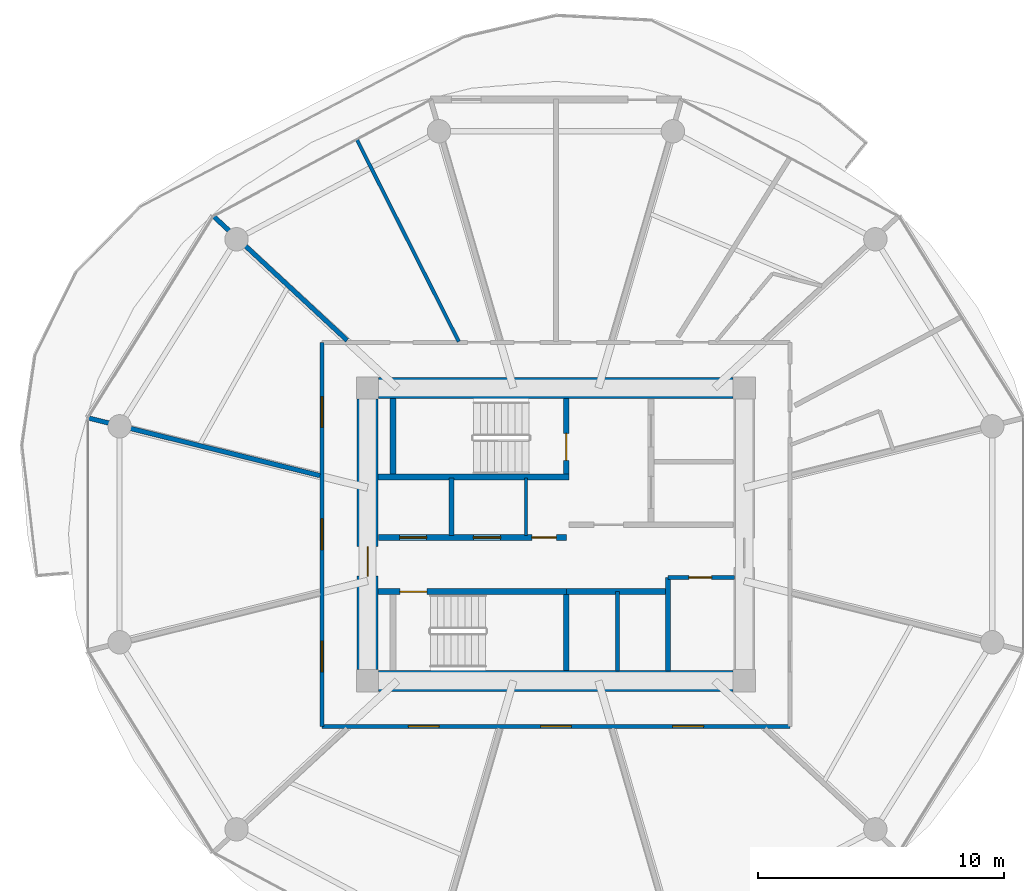
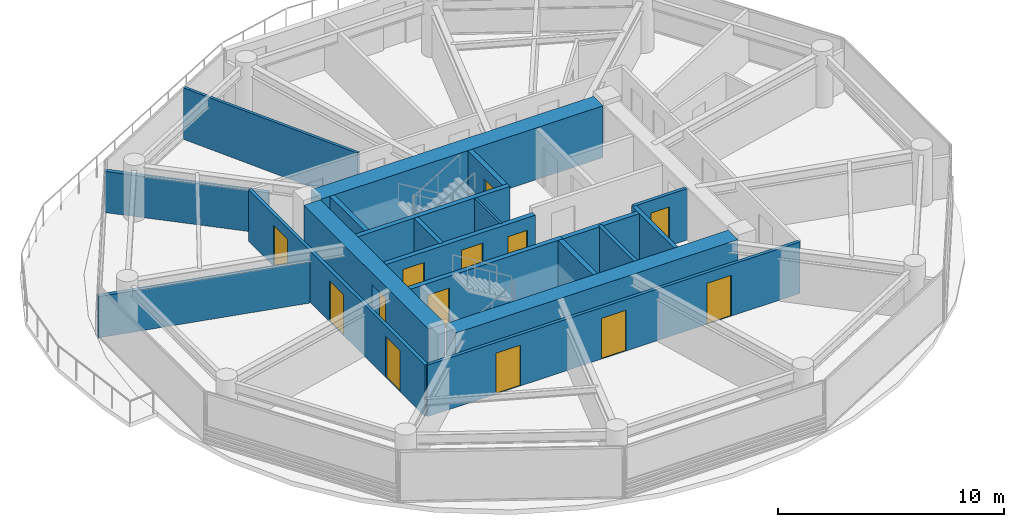
# One storey, part 15 of 26: 20 walls, 13 doors, 13 openings.
"""IFC4 building model written with IfcOpenShell, lengths in metres."""

from ifc_helpers import new_model, si_unit, direction, frame, frame_2d, origin, place, context, subcontext, project, spatial, rectangle, extrude, source, transform, mapped, material, layer, layer_set, type_object, type_shapes, element, fill, save


model = new_model("IFC4")

# Units and contexts
model_context = context("Model", 3, precision=1e-05, world=origin(), true_north=direction((0.0, 1.0)))
body_context = subcontext(model_context, "Body", "Model", "MODEL_VIEW")
ifc_project = project(units=[si_unit("LENGTHUNIT", "METRE"), si_unit("AREAUNIT", "SQUARE_METRE"), si_unit("VOLUMEUNIT", "CUBIC_METRE"), si_unit("PLANEANGLEUNIT", "RADIAN"), si_unit("MASSUNIT", "GRAM", prefix="KILO")], contexts=[model_context])

# Site, building, storey
site_placement = place(None, origin())
site = spatial("IfcSite", under=ifc_project, at=site_placement, CompositionType="ELEMENT")
building_placement = place(site_placement, origin())
building = spatial("IfcBuilding", under=site, at=building_placement, Name="Norrkilde Senior Care Towers", CompositionType="ELEMENT")
storey_placement = place(building_placement, frame((0.0, 0.0, 24.64990234375)))
storey = spatial("IfcBuildingStorey", under=building, at=storey_placement, Name="L06", CompositionType="ELEMENT", Elevation=24.64990234375)

# Walls
ifc_material_1 = material(Name="Concrete C60/75", Category="concrete")
ifc_layer_1 = layer(ifc_material_1, 0.85009765625)
ifc_layer_set_1 = layer_set([ifc_layer_1], Name="Concrete C60/75")
wall_type_1 = type_object("IfcWallType", Name="Core Shear Wall Z1 850", PredefinedType="SHEAR", material=ifc_layer_set_1)
shared_shape_1 = source(origin(), body_context, "Body", "SweptSolid", [
    extrude(rectangle(XDim=14.39990234375, YDim=0.85009765625, at=frame_2d((7.199951171875, 0.0))), origin(), (0.0, 0.0, 1.0), 2.7900390625),
])
for number, where, z_axis, x_axis, name in (
    (1, (-35.199951171875, 5.949951171875, 0.0), (0.0, 0.0, 1.0), (1.0, 0.0, 0.0), "L06 Core W North Shear Wall"),
    (2, (-20.800048828125, -5.949951171875, 0.0), (0.0, 0.0, 1.0), (-1.0, 0.0, 0.0), "L06 Core W South Shear Wall"),
):
    element("IfcWall", number, at=place(storey_placement, frame(where, z_axis=z_axis, x_axis=x_axis)), inside=storey, type_object=wall_type_1, Name=name, PredefinedType="SHEAR", context=body_context, shape_type="MappedRepresentation", body=[
        mapped(shared_shape_1, transform((0.0, 0.0, 0.0), x_axis=(1.0, 0.0, 0.0), y_axis=(0.0, 1.0, 0.0), z_axis=(0.0, 0.0, 1.0), scale=1.0)),
    ])

# Wall, opening, door
shared_shape_2 = source(origin(), body_context, "Body", "SweptSolid", [
    extrude(rectangle(XDim=11.0, YDim=0.85009765625, at=frame_2d((5.5, 0.0))), origin(), (0.0, 0.0, 1.0), 2.7900390625),
])
type_shapes(wall_type_1, [shared_shape_1, shared_shape_2])
wall_1_placement = place(storey_placement, frame((-35.64990234375, -5.5, 0.0), z_axis=(0.0, 0.0, 1.0), x_axis=(0.0, 1.0, 0.0)))
wall_1 = element("IfcWall", 3, at=wall_1_placement, inside=storey, type_object=wall_type_1, Name="L06 Core W West Shear Wall", PredefinedType="SHEAR", context=body_context, shape_type="MappedRepresentation", body=[
    mapped(shared_shape_2, transform((0.0, 0.0, 0.0), x_axis=(1.0, 0.0, 0.0), y_axis=(0.0, 1.0, 0.0), z_axis=(0.0, 0.0, 1.0), scale=1.0)),
])
opening_1_placement = place(wall_1_placement, frame((3.800048828125, 0.0, 0.0)))
opening_1 = element("IfcOpeningElement", 4, at=opening_1_placement, cuts=wall_1, Name="Opening D-04", PredefinedType="OPENING", context=body_context, shape_type="SweptSolid", body=[
    extrude(rectangle(XDim=1.199951171875, YDim=2.14990234375, at=frame_2d((0.60009765625, 1.074951171875))), frame((0.0, 0.43505859375, 0.0), z_axis=(0.0, -1.0, 0.0), x_axis=(1.0, 0.0, 0.0)), (0.0, 0.0, 1.0), 0.8701171875),
])
ifc_material_2 = material(Name="Galvanised Painted Steel", Category="steel")
door_type_1 = type_object("IfcDoorType", Name="Firefighting Lobby Fire Door 1200x2150", OperationType="NOTDEFINED", PredefinedType="DOOR", material=ifc_material_2)
shared_shape_3 = source(origin(), body_context, "Body", "SweptSolid", [
    extrude(rectangle(XDim=1.199951171875, YDim=2.14990234375, at=frame_2d((0.60009765625, 1.074951171875))), frame((0.0, 0.02490234375, 0.0), z_axis=(0.0, -1.0, 0.0), x_axis=(1.0, 0.0, 0.0)), (0.0, 0.0, 1.0), 0.050048828125),
])
type_shapes(door_type_1, [shared_shape_3])
door_1_placement = place(opening_1_placement, frame((1.199951171875, 0.0, 0.0), z_axis=(0.0, 0.0, 1.0), x_axis=(-1.0, 0.0, 0.0)))
door_1 = element("IfcDoor", 5, at=door_1_placement, inside=storey, type_object=door_type_1, Name="L06 Core W West Portal Door", OperationType="SINGLE_SWING_LEFT", OverallHeight=2.14990234375, OverallWidth=1.199951171875, PredefinedType="DOOR", context=body_context, shape_type="MappedRepresentation", body=[
    mapped(shared_shape_3, transform((0.0, 0.0, 0.0), x_axis=(1.0, 0.0, 0.0), y_axis=(0.0, 1.0, 0.0), z_axis=(0.0, 0.0, 1.0), scale=1.0)),
])
fill(opening_1, door_1)

# Wall
ifc_material_3 = material(Name="Concrete C45/55", Category="concrete")
ifc_layer_2 = layer(ifc_material_3, 0.239990234375)
ifc_layer_set_2 = layer_set([ifc_layer_2], Name="Concrete C45/55")
wall_type_2 = type_object("IfcWallType", Name="Shaft and Stair Enclosure Wall 240", PredefinedType="PARTITIONING", material=ifc_layer_set_2)
shared_shape_4 = source(origin(), body_context, "Body", "SweptSolid", [
    extrude(rectangle(XDim=7.76513671875, YDim=0.239990234375, at=frame_2d((3.882568359375, 0.0))), origin(), (0.0, 0.0, 1.0), 2.7900390625),
])
wall_2_placement = place(storey_placement, frame((-35.22509765625, 2.330078125, 0.0), z_axis=(0.0, 0.0, 1.0), x_axis=(1.0, 0.0, 0.0)))
element("IfcWall", 6, at=wall_2_placement, inside=storey, type_object=wall_type_2, Name="WL-INT-L06-W-ST1S", PredefinedType="PARTITIONING", context=body_context, shape_type="MappedRepresentation", body=[
    mapped(shared_shape_4, transform((0.0, 0.0, 0.0), x_axis=(1.0, 0.0, 0.0), y_axis=(0.0, 1.0, 0.0), z_axis=(0.0, 0.0, 1.0), scale=1.0)),
])

# Wall, opening, door
wall_3_placement = place(storey_placement, frame((-35.22509765625, -2.330078125, 0.0), z_axis=(0.0, 0.0, 1.0), x_axis=(1.0, 0.0, 0.0)))
wall_3 = element("IfcWall", 7, at=wall_3_placement, inside=storey, type_object=wall_type_2, Name="WL-INT-L06-W-ST2N", PredefinedType="PARTITIONING", context=body_context, shape_type="MappedRepresentation", body=[
    mapped(shared_shape_4, transform((0.0, 0.0, 0.0), x_axis=(1.0, 0.0, 0.0), y_axis=(0.0, 1.0, 0.0), z_axis=(0.0, 0.0, 1.0), scale=1.0)),
])
opening_2_placement = place(wall_3_placement, frame((0.885009765625, 0.0, 0.0)))
opening_2 = element("IfcOpeningElement", 8, at=opening_2_placement, cuts=wall_3, Name="Opening D-03", PredefinedType="OPENING", context=body_context, shape_type="SweptSolid", body=[
    extrude(rectangle(XDim=1.10009765625, YDim=2.14990234375, at=frame_2d((0.550048828125, 1.074951171875))), frame((0.0, 0.1298828125, 0.0), z_axis=(0.0, -1.0, 0.0), x_axis=(1.0, 0.0, 0.0)), (0.0, 0.0, 1.0), 0.260009765625),
])
door_type_2 = type_object("IfcDoorType", Name="Stairwell Protected Fire Door 1100x2150", OperationType="NOTDEFINED", PredefinedType="DOOR", material=ifc_material_2)
shared_shape_5 = source(origin(), body_context, "Body", "SweptSolid", [
    extrude(rectangle(XDim=1.10009765625, YDim=2.14990234375, at=frame_2d((0.550048828125, 1.074951171875))), frame((0.0, 0.02490234375, 0.0), z_axis=(0.0, -1.0, 0.0), x_axis=(1.0, 0.0, 0.0)), (0.0, 0.0, 1.0), 0.050048828125),
])
type_shapes(door_type_2, [shared_shape_5])
door_2_placement = place(opening_2_placement, frame((1.10009765625, 0.0, 0.0), z_axis=(0.0, 0.0, 1.0), x_axis=(-1.0, 0.0, 0.0)))
door_2 = element("IfcDoor", 9, at=door_2_placement, inside=storey, type_object=door_type_2, Name="L06 Stair W2 Fire Door", OperationType="SINGLE_SWING_RIGHT", OverallHeight=2.14990234375, OverallWidth=1.10009765625, PredefinedType="DOOR", context=body_context, shape_type="MappedRepresentation", body=[
    mapped(shared_shape_5, transform((0.0, 0.0, 0.0), x_axis=(1.0, 0.0, 0.0), y_axis=(0.0, 1.0, 0.0), z_axis=(0.0, 0.0, 1.0), scale=1.0)),
])
fill(opening_2, door_2)

# Wall
shared_shape_6 = source(origin(), body_context, "Body", "SweptSolid", [
    extrude(rectangle(XDim=3.074951171875, YDim=0.239990234375, at=frame_2d((1.53759765625, 0.0))), origin(), (0.0, 0.0, 1.0), 2.7900390625),
])
type_shapes(wall_type_2, [shared_shape_4, shared_shape_6])
wall_4_placement = place(storey_placement, frame((-34.6201171875, 2.449951171875, 0.0), z_axis=(0.0, 0.0, 1.0), x_axis=(0.0, 1.0, 0.0)))
element("IfcWall", 10, at=wall_4_placement, inside=storey, type_object=wall_type_2, Name="WL-INT-L06-W-ST1W", PredefinedType="PARTITIONING", context=body_context, shape_type="MappedRepresentation", body=[
    mapped(shared_shape_6, transform((0.0, 0.0, 0.0), x_axis=(1.0, 0.0, 0.0), y_axis=(0.0, 1.0, 0.0), z_axis=(0.0, 0.0, 1.0), scale=1.0)),
])

# Wall, opening, door
wall_5_placement = place(storey_placement, frame((-27.580078125, 2.449951171875, 0.0), z_axis=(0.0, 0.0, 1.0), x_axis=(0.0, 1.0, 0.0)))
wall_5 = element("IfcWall", 11, at=wall_5_placement, inside=storey, type_object=wall_type_2, Name="WL-INT-L06-W-ST1E", PredefinedType="PARTITIONING", context=body_context, shape_type="MappedRepresentation", body=[
    mapped(shared_shape_6, transform((0.0, 0.0, 0.0), x_axis=(1.0, 0.0, 0.0), y_axis=(0.0, 1.0, 0.0), z_axis=(0.0, 0.0, 1.0), scale=1.0)),
])
opening_3_placement = place(wall_5_placement, frame((0.550048828125, 0.0, 0.0)))
opening_3 = element("IfcOpeningElement", 12, at=opening_3_placement, cuts=wall_5, Name="Opening D-03", PredefinedType="OPENING", context=body_context, shape_type="SweptSolid", body=[
    extrude(rectangle(XDim=1.10009765625, YDim=2.14990234375, at=frame_2d((0.550048828125, 1.074951171875))), frame((0.0, 0.1298828125, 0.0), z_axis=(0.0, -1.0, 0.0), x_axis=(1.0, 0.0, 0.0)), (0.0, 0.0, 1.0), 0.260009765625),
])
door_3_placement = place(opening_3_placement, origin())
door_3 = element("IfcDoor", 13, at=door_3_placement, inside=storey, type_object=door_type_2, Name="L06 Stair W1 Fire Door", OperationType="SINGLE_SWING_LEFT", OverallHeight=2.14990234375, OverallWidth=1.10009765625, PredefinedType="DOOR", context=body_context, shape_type="MappedRepresentation", body=[
    mapped(shared_shape_5, transform((0.0, 0.0, 0.0), x_axis=(1.0, 0.0, 0.0), y_axis=(0.0, 1.0, 0.0), z_axis=(0.0, 0.0, 1.0), scale=1.0)),
])
fill(opening_3, door_3)

# Wall
wall_6_placement = place(storey_placement, frame((-27.580078125, -5.52490234375, 0.0), z_axis=(0.0, 0.0, 1.0), x_axis=(0.0, 1.0, 0.0)))
element("IfcWall", 14, at=wall_6_placement, inside=storey, type_object=wall_type_2, Name="WL-INT-L06-W-ST2E", PredefinedType="PARTITIONING", context=body_context, shape_type="MappedRepresentation", body=[
    mapped(shared_shape_6, transform((0.0, 0.0, 0.0), x_axis=(1.0, 0.0, 0.0), y_axis=(0.0, 1.0, 0.0), z_axis=(0.0, 0.0, 1.0), scale=1.0)),
])

# Wall, openings, doors
ifc_layer_3 = layer(ifc_material_3, 0.239990234375)
ifc_layer_set_3 = layer_set([ifc_layer_3], Name="Concrete C45/55")
wall_type_3 = type_object("IfcWallType", Name="Lift and Plant Rated Enclosure Partition 240", PredefinedType="PARTITIONING", material=ifc_layer_set_3)
shared_shape_7 = source(origin(), body_context, "Body", "SweptSolid", [
    extrude(rectangle(XDim=7.619873046875, YDim=0.239990234375, at=frame_2d((3.81005859375, 0.0))), origin(), (0.0, 0.0, 1.0), 2.775146484375),
])
wall_7_placement = place(storey_placement, frame((-35.199951171875, -0.1298828125, 0.0), z_axis=(0.0, 0.0, 1.0), x_axis=(1.0, 0.0, 0.0)))
wall_7 = element("IfcWall", 15, at=wall_7_placement, inside=storey, type_object=wall_type_3, Name="WL-INT-L06-W-PKAS", PredefinedType="PARTITIONING", context=body_context, shape_type="MappedRepresentation", body=[
    mapped(shared_shape_7, transform((0.0, 0.0, 0.0), x_axis=(1.0, 0.0, 0.0), y_axis=(0.0, 1.0, 0.0), z_axis=(0.0, 0.0, 1.0), scale=1.0)),
])
opening_4_placement = place(wall_7_placement, frame((6.219970703125, 0.0, 0.0)))
opening_4 = element("IfcOpeningElement", 16, at=opening_4_placement, cuts=wall_7, Name="Opening D-10", PredefinedType="OPENING", context=body_context, shape_type="SweptSolid", body=[
    extrude(rectangle(XDim=1.0, YDim=2.10009765625, at=frame_2d((0.5, 1.050048828125))), frame((0.0, 0.1298828125, 0.0), z_axis=(0.0, -1.0, 0.0), x_axis=(1.0, 0.0, 0.0)), (0.0, 0.0, 1.0), 0.260009765625),
])
opening_5_placement = place(wall_7_placement, frame((0.85009765625, 0.0, 0.0)))
opening_5 = element("IfcOpeningElement", 17, at=opening_5_placement, cuts=wall_7, Name="Opening LD-01", PredefinedType="OPENING", context=body_context, shape_type="SweptSolid", body=[
    extrude(rectangle(XDim=1.10009765625, YDim=2.199951171875, at=frame_2d((0.550048828125, 1.10009765625))), frame((0.0, 0.1298828125, 0.0), z_axis=(0.0, -1.0, 0.0), x_axis=(1.0, 0.0, 0.0)), (0.0, 0.0, 1.0), 0.260009765625),
])
opening_6_placement = place(wall_7_placement, frame((3.85009765625, 0.0, 0.0)))
opening_6 = element("IfcOpeningElement", 18, at=opening_6_placement, cuts=wall_7, Name="Opening LD-01", PredefinedType="OPENING", context=body_context, shape_type="SweptSolid", body=[
    extrude(rectangle(XDim=1.10009765625, YDim=2.199951171875, at=frame_2d((0.550048828125, 1.10009765625))), frame((0.0, 0.1298828125, 0.0), z_axis=(0.0, -1.0, 0.0), x_axis=(1.0, 0.0, 0.0)), (0.0, 0.0, 1.0), 0.260009765625),
])
door_type_3 = type_object("IfcDoorType", Name="Plant and Riser Rated Door 1000x2100", OperationType="NOTDEFINED", PredefinedType="DOOR", material=ifc_material_2)
shared_shape_8 = source(origin(), body_context, "Body", "SweptSolid", [
    extrude(rectangle(XDim=1.0, YDim=2.10009765625, at=frame_2d((0.5, 1.050048828125))), frame((0.0, 0.02490234375, 0.0), z_axis=(0.0, -1.0, 0.0), x_axis=(1.0, 0.0, 0.0)), (0.0, 0.0, 1.0), 0.050048828125),
])
type_shapes(door_type_3, [shared_shape_8])
door_4_placement = place(opening_4_placement, frame((1.0, 0.0, 0.0), z_axis=(0.0, 0.0, 1.0), x_axis=(-1.0, 0.0, 0.0)))
door_4 = element("IfcDoor", 19, at=door_4_placement, inside=storey, type_object=door_type_3, Name="L06 Electrical Riser W Door", OperationType="SINGLE_SWING_LEFT", OverallHeight=2.10009765625, OverallWidth=1.0, PredefinedType="DOOR", context=body_context, shape_type="MappedRepresentation", body=[
    mapped(shared_shape_8, transform((0.0, 0.0, 0.0), x_axis=(1.0, 0.0, 0.0), y_axis=(0.0, 1.0, 0.0), z_axis=(0.0, 0.0, 1.0), scale=1.0)),
])
fill(opening_4, door_4)
ifc_material_4 = material(Name="Stainless Steel", Category="steel")
door_type_4 = type_object("IfcDoorType", Name="Lift Landing Sliding Door 1100x2200", OperationType="NOTDEFINED", PredefinedType="DOOR", material=ifc_material_4)
shared_shape_9 = source(origin(), body_context, "Body", "SweptSolid", [
    extrude(rectangle(XDim=1.10009765625, YDim=2.199951171875, at=frame_2d((0.550048828125, 1.10009765625))), frame((0.0, 0.02490234375, 0.0), z_axis=(0.0, -1.0, 0.0), x_axis=(1.0, 0.0, 0.0)), (0.0, 0.0, 1.0), 0.050048828125),
])
type_shapes(door_type_4, [shared_shape_9])
door_5_placement = place(opening_5_placement, origin())
door_5 = element("IfcDoor", 20, at=door_5_placement, inside=storey, type_object=door_type_4, Name="L06 Passenger Lift W1 Landing Door", OperationType="SLIDING_TO_LEFT", OverallHeight=2.199951171875, OverallWidth=1.10009765625, PredefinedType="DOOR", context=body_context, shape_type="MappedRepresentation", body=[
    mapped(shared_shape_9, transform((0.0, 0.0, 0.0), x_axis=(1.0, 0.0, 0.0), y_axis=(0.0, 1.0, 0.0), z_axis=(0.0, 0.0, 1.0), scale=1.0)),
])
fill(opening_5, door_5)
door_6_placement = place(opening_6_placement, origin())
door_6 = element("IfcDoor", 21, at=door_6_placement, inside=storey, type_object=door_type_4, Name="L06 Passenger Lift W2 Landing Door", OperationType="SLIDING_TO_RIGHT", OverallHeight=2.199951171875, OverallWidth=1.10009765625, PredefinedType="DOOR", context=body_context, shape_type="MappedRepresentation", body=[
    mapped(shared_shape_9, transform((0.0, 0.0, 0.0), x_axis=(1.0, 0.0, 0.0), y_axis=(0.0, 1.0, 0.0), z_axis=(0.0, 0.0, 1.0), scale=1.0)),
])
fill(opening_6, door_6)

# Walls
ifc_material_5 = material(Name="Gypsum Acoustic Board")
ifc_layer_4 = layer(ifc_material_5, 0.114990234375)
ifc_layer_set_4 = layer_set([ifc_layer_4], Name="Gypsum Acoustic Board")
wall_type_4 = type_object("IfcWallType", Name="Internal Room Partition 115", PredefinedType="PARTITIONING", material=ifc_layer_set_4)
shared_shape_10 = source(origin(), body_context, "Body", "SweptSolid", [
    extrude(rectangle(XDim=2.330078125, YDim=0.114990234375, at=frame_2d((1.1650390625, 0.0))), origin(), (0.0, 0.0, 1.0), 2.775146484375),
])
type_shapes(wall_type_4, [shared_shape_10])
wall_8_placement = place(storey_placement, frame((-29.2099609375, -0.050048828125, 0.0), z_axis=(0.0, 0.0, 1.0), x_axis=(0.0, 1.0, 0.0)))
element("IfcWall", 22, at=wall_8_placement, inside=storey, type_object=wall_type_4, Name="WL-INT-L06-W-RISW", PredefinedType="PARTITIONING", context=body_context, shape_type="MappedRepresentation", body=[
    mapped(shared_shape_10, transform((0.0, 0.0, 0.0), x_axis=(1.0, 0.0, 0.0), y_axis=(0.0, 1.0, 0.0), z_axis=(0.0, 0.0, 1.0), scale=1.0)),
])
ifc_layer_5 = layer(ifc_material_3, 0.199951171875)
ifc_layer_set_5 = layer_set([ifc_layer_5], Name="Concrete C45/55")
wall_type_5 = type_object("IfcWallType", Name="Shaft Division and Plant Partition 200", PredefinedType="PARTITIONING", material=ifc_layer_set_5)
shared_shape_11 = source(origin(), body_context, "Body", "SweptSolid", [
    extrude(rectangle(XDim=2.330078125, YDim=0.199951171875, at=frame_2d((1.1650390625, 0.0))), origin(), (0.0, 0.0, 1.0), 2.775146484375),
])
wall_9_placement = place(storey_placement, frame((-32.25, -0.050048828125, 0.0), z_axis=(0.0, 0.0, 1.0), x_axis=(0.0, 1.0, 0.0)))
element("IfcWall", 23, at=wall_9_placement, inside=storey, type_object=wall_type_5, Name="WL-INT-L06-W-PL12", PredefinedType="PARTITIONING", context=body_context, shape_type="MappedRepresentation", body=[
    mapped(shared_shape_11, transform((0.0, 0.0, 0.0), x_axis=(1.0, 0.0, 0.0), y_axis=(0.0, 1.0, 0.0), z_axis=(0.0, 0.0, 1.0), scale=1.0)),
])
shared_shape_12 = source(origin(), body_context, "Body", "SweptSolid", [
    extrude(rectangle(XDim=3.800048828125, YDim=0.199951171875, at=frame_2d((1.89990234375, 0.0))), origin(), (0.0, 0.0, 1.0), 2.775146484375),
])
type_shapes(wall_type_5, [shared_shape_11, shared_shape_12])
wall_10_placement = place(storey_placement, frame((-23.449951171875, -5.550048828125, 0.0), z_axis=(0.0, 0.0, 1.0), x_axis=(0.0, 1.0, 0.0)))
element("IfcWall", 24, at=wall_10_placement, inside=storey, type_object=wall_type_5, Name="WL-INT-L06-W-PKBE", PredefinedType="PARTITIONING", context=body_context, shape_type="MappedRepresentation", body=[
    mapped(shared_shape_12, transform((0.0, 0.0, 0.0), x_axis=(1.0, 0.0, 0.0), y_axis=(0.0, 1.0, 0.0), z_axis=(0.0, 0.0, 1.0), scale=1.0)),
])
shared_shape_13 = source(origin(), body_context, "Body", "SweptSolid", [
    extrude(rectangle(XDim=4.130126953125, YDim=0.239990234375, at=frame_2d((2.06494140625, 0.0))), origin(), (0.0, 0.0, 1.0), 2.775146484375),
])
type_shapes(wall_type_3, [shared_shape_7, shared_shape_13])
wall_11_placement = place(storey_placement, frame((-27.580078125, -2.330078125, 0.0), z_axis=(0.0, 0.0, 1.0), x_axis=(1.0, 0.0, 0.0)))
element("IfcWall", 25, at=wall_11_placement, inside=storey, type_object=wall_type_3, Name="WL-INT-L06-W-PKBN", PredefinedType="PARTITIONING", context=body_context, shape_type="MappedRepresentation", body=[
    mapped(shared_shape_13, transform((0.0, 0.0, 0.0), x_axis=(1.0, 0.0, 0.0), y_axis=(0.0, 1.0, 0.0), z_axis=(0.0, 0.0, 1.0), scale=1.0)),
])
ifc_layer_6 = layer(ifc_material_3, 0.179931640625)
ifc_layer_set_6 = layer_set([ifc_layer_6], Name="Concrete C45/55")
wall_type_6 = type_object("IfcWallType", Name="Hoistway Division Rated Partition 180", PredefinedType="PARTITIONING", material=ifc_layer_set_6)
shared_shape_14 = source(origin(), body_context, "Body", "SweptSolid", [
    extrude(rectangle(XDim=3.219970703125, YDim=0.179931640625, at=frame_2d((1.60986328125, 0.0))), origin(), (0.0, 0.0, 1.0), 2.775146484375),
])
type_shapes(wall_type_6, [shared_shape_14])
wall_12_placement = place(storey_placement, frame((-25.5, -5.550048828125, 0.0), z_axis=(0.0, 0.0, 1.0), x_axis=(0.0, 1.0, 0.0)))
element("IfcWall", 26, at=wall_12_placement, inside=storey, type_object=wall_type_6, Name="WL-INT-L06-W-PL34", PredefinedType="PARTITIONING", context=body_context, shape_type="MappedRepresentation", body=[
    mapped(shared_shape_14, transform((0.0, 0.0, 0.0), x_axis=(1.0, 0.0, 0.0), y_axis=(0.0, 1.0, 0.0), z_axis=(0.0, 0.0, 1.0), scale=1.0)),
])

# Wall, opening, door
ifc_layer_7 = layer(ifc_material_5, 0.1650390625)
ifc_layer_set_7 = layer_set([ifc_layer_7], Name="Gypsum Acoustic Board")
wall_type_7 = type_object("IfcWallType", Name="Corridor Rated Partition 165", PredefinedType="PARTITIONING", material=ifc_layer_set_7)
shared_shape_15 = source(origin(), body_context, "Body", "SweptSolid", [
    extrude(rectangle(XDim=2.699951171875, YDim=0.1650390625, at=frame_2d((1.35009765625, 0.0))), origin(), (0.0, 0.0, 1.0), 2.775146484375),
])
wall_13_placement = place(storey_placement, frame((-23.449951171875, -1.75, 0.0), z_axis=(0.0, 0.0, 1.0), x_axis=(1.0, 0.0, 0.0)))
wall_13 = element("IfcWall", 27, at=wall_13_placement, inside=storey, type_object=wall_type_7, Name="WL-INT-L06-W-CSN", PredefinedType="PARTITIONING", context=body_context, shape_type="MappedRepresentation", body=[
    mapped(shared_shape_15, transform((0.0, 0.0, 0.0), x_axis=(1.0, 0.0, 0.0), y_axis=(0.0, 1.0, 0.0), z_axis=(0.0, 0.0, 1.0), scale=1.0)),
])
opening_7_placement = place(wall_13_placement, frame((0.85009765625, 0.0, 0.0)))
opening_7 = element("IfcOpeningElement", 28, at=opening_7_placement, cuts=wall_13, Name="Opening D-12", PredefinedType="OPENING", context=body_context, shape_type="SweptSolid", body=[
    extrude(rectangle(XDim=0.925048828125, YDim=2.10009765625, at=frame_2d((0.46240234375, 1.050048828125))), frame((0.0, 0.092529296875, 0.0), z_axis=(0.0, -1.0, 0.0), x_axis=(1.0, 0.0, 0.0)), (0.0, 0.0, 1.0), 0.18505859375),
])
door_type_5 = type_object("IfcDoorType", Name="Core Wet Room Rated Door 925x2100", OperationType="NOTDEFINED", PredefinedType="DOOR", material=ifc_material_2)
shared_shape_16 = source(origin(), body_context, "Body", "SweptSolid", [
    extrude(rectangle(XDim=0.925048828125, YDim=2.10009765625, at=frame_2d((0.46240234375, 1.050048828125))), frame((0.0, 0.02490234375, 0.0), z_axis=(0.0, -1.0, 0.0), x_axis=(1.0, 0.0, 0.0)), (0.0, 0.0, 1.0), 0.050048828125),
])
type_shapes(door_type_5, [shared_shape_16])
door_7_placement = place(opening_7_placement, origin())
door_7 = element("IfcDoor", 29, at=door_7_placement, inside=storey, type_object=door_type_5, Name="L06 Core Utility W Door", OperationType="SINGLE_SWING_LEFT", OverallHeight=2.10009765625, OverallWidth=0.925048828125, PredefinedType="DOOR", context=body_context, shape_type="MappedRepresentation", body=[
    mapped(shared_shape_16, transform((0.0, 0.0, 0.0), x_axis=(1.0, 0.0, 0.0), y_axis=(0.0, 1.0, 0.0), z_axis=(0.0, 0.0, 1.0), scale=1.0)),
])
fill(opening_7, door_7)

# Wall, openings, doors
shared_shape_17 = source(origin(), body_context, "Body", "SweptSolid", [
    extrude(rectangle(XDim=19.0, YDim=0.1650390625, at=frame_2d((9.5, 0.0))), origin(), (0.0, 0.0, 1.0), 2.775146484375),
])
wall_14_placement = place(storey_placement, frame((-18.5, -7.800048828125, 0.0), z_axis=(0.0, 0.0, 1.0), x_axis=(-1.0, 0.0, 0.0)))
wall_14 = element("IfcWall", 30, at=wall_14_placement, inside=storey, type_object=wall_type_7, Name="WL-INT-L06-W-CRW-S-0", PredefinedType="PARTITIONING", context=body_context, shape_type="MappedRepresentation", body=[
    mapped(shared_shape_17, transform((0.0, 0.0, 0.0), x_axis=(1.0, 0.0, 0.0), y_axis=(0.0, 1.0, 0.0), z_axis=(0.0, 0.0, 1.0), scale=1.0)),
])
opening_8_placement = place(wall_14_placement, frame((14.244384765625, 0.0, 0.0)))
opening_8 = element("IfcOpeningElement", 31, at=opening_8_placement, cuts=wall_14, Name="Opening D-05", PredefinedType="OPENING", context=body_context, shape_type="SweptSolid", body=[
    extrude(rectangle(XDim=1.25, YDim=2.199951171875, at=frame_2d((0.625, 1.10009765625))), frame((0.0, 0.092529296875, 0.0), z_axis=(0.0, -1.0, 0.0), x_axis=(1.0, 0.0, 0.0)), (0.0, 0.0, 1.0), 0.18505859375),
])
opening_9_placement = place(wall_14_placement, frame((8.875, 0.0, 0.0)))
opening_9 = element("IfcOpeningElement", 32, at=opening_9_placement, cuts=wall_14, Name="Opening D-05", PredefinedType="OPENING", context=body_context, shape_type="SweptSolid", body=[
    extrude(rectangle(XDim=1.25, YDim=2.199951171875, at=frame_2d((0.625, 1.10009765625))), frame((0.0, 0.092529296875, 0.0), z_axis=(0.0, -1.0, 0.0), x_axis=(1.0, 0.0, 0.0)), (0.0, 0.0, 1.0), 0.18505859375),
])
opening_10_placement = place(wall_14_placement, frame((3.505615234375, 0.0, 0.0)))
opening_10 = element("IfcOpeningElement", 33, at=opening_10_placement, cuts=wall_14, Name="Opening D-05", PredefinedType="OPENING", context=body_context, shape_type="SweptSolid", body=[
    extrude(rectangle(XDim=1.25, YDim=2.199951171875, at=frame_2d((0.625, 1.10009765625))), frame((0.0, 0.092529296875, 0.0), z_axis=(0.0, -1.0, 0.0), x_axis=(1.0, 0.0, 0.0)), (0.0, 0.0, 1.0), 0.18505859375),
])
ifc_material_6 = material(Name="Nordic Ash Timber", Category="wood")
door_type_6 = type_object("IfcDoorType", Name="Care Bedroom Bariatric Door 1250x2200", OperationType="NOTDEFINED", PredefinedType="DOOR", material=ifc_material_6)
shared_shape_18 = source(origin(), body_context, "Body", "SweptSolid", [
    extrude(rectangle(XDim=1.25, YDim=2.199951171875, at=frame_2d((0.625, 1.10009765625))), frame((0.0, 0.02490234375, 0.0), z_axis=(0.0, -1.0, 0.0), x_axis=(1.0, 0.0, 0.0)), (0.0, 0.0, 1.0), 0.050048828125),
])
type_shapes(door_type_6, [shared_shape_18])
door_8_placement = place(opening_8_placement, frame((1.25, 0.0, 0.0), z_axis=(0.0, 0.0, 1.0), x_axis=(-1.0, 0.0, 0.0)))
door_8 = element("IfcDoor", 34, at=door_8_placement, inside=storey, type_object=door_type_6, Name="L06 Household Communal Dining Salon Door", OperationType="SINGLE_SWING_RIGHT", OverallHeight=2.199951171875, OverallWidth=1.25, PredefinedType="DOOR", context=body_context, shape_type="MappedRepresentation", body=[
    mapped(shared_shape_18, transform((0.0, 0.0, 0.0), x_axis=(1.0, 0.0, 0.0), y_axis=(0.0, 1.0, 0.0), z_axis=(0.0, 0.0, 1.0), scale=1.0)),
])
fill(opening_8, door_8)
door_9_placement = place(opening_9_placement, frame((1.25, 0.0, 0.0), z_axis=(0.0, 0.0, 1.0), x_axis=(-1.0, 0.0, 0.0)))
door_9 = element("IfcDoor", 35, at=door_9_placement, inside=storey, type_object=door_type_6, Name="L06 Resident Family Conference Room Door", OperationType="SINGLE_SWING_LEFT", OverallHeight=2.199951171875, OverallWidth=1.25, PredefinedType="DOOR", context=body_context, shape_type="MappedRepresentation", body=[
    mapped(shared_shape_18, transform((0.0, 0.0, 0.0), x_axis=(1.0, 0.0, 0.0), y_axis=(0.0, 1.0, 0.0), z_axis=(0.0, 0.0, 1.0), scale=1.0)),
])
fill(opening_9, door_9)
door_10_placement = place(opening_10_placement, frame((1.25, 0.0, 0.0), z_axis=(0.0, 0.0, 1.0), x_axis=(-1.0, 0.0, 0.0)))
door_10 = element("IfcDoor", 36, at=door_10_placement, inside=storey, type_object=door_type_6, Name="L06 Geriatric Rehabilitation Clinic Door", OperationType="SINGLE_SWING_RIGHT", OverallHeight=2.199951171875, OverallWidth=1.25, PredefinedType="DOOR", context=body_context, shape_type="MappedRepresentation", body=[
    mapped(shared_shape_18, transform((0.0, 0.0, 0.0), x_axis=(1.0, 0.0, 0.0), y_axis=(0.0, 1.0, 0.0), z_axis=(0.0, 0.0, 1.0), scale=1.0)),
])
fill(opening_10, door_10)

shared_shape_19 = source(origin(), body_context, "Body", "SweptSolid", [
    extrude(rectangle(XDim=15.60009765625, YDim=0.1650390625, at=frame_2d((7.800048828125, 0.0))), origin(), (0.0, 0.0, 1.0), 2.775146484375),
])
type_shapes(wall_type_7, [shared_shape_15, shared_shape_17, shared_shape_19])
wall_15_placement = place(storey_placement, frame((-37.5, -7.800048828125, 0.0), z_axis=(0.0, 0.0, 1.0), x_axis=(0.0, 1.0, 0.0)))
wall_15 = element("IfcWall", 37, at=wall_15_placement, inside=storey, type_object=wall_type_7, Name="WL-INT-L06-W-CRW-W-0", PredefinedType="PARTITIONING", context=body_context, shape_type="MappedRepresentation", body=[
    mapped(shared_shape_19, transform((0.0, 0.0, 0.0), x_axis=(1.0, 0.0, 0.0), y_axis=(0.0, 1.0, 0.0), z_axis=(0.0, 0.0, 1.0), scale=1.0)),
])
opening_11_placement = place(wall_15_placement, frame((12.141357421875, 0.0, 0.0)))
opening_11 = element("IfcOpeningElement", 38, at=opening_11_placement, cuts=wall_15, Name="Opening D-05", PredefinedType="OPENING", context=body_context, shape_type="SweptSolid", body=[
    extrude(rectangle(XDim=1.25, YDim=2.199951171875, at=frame_2d((0.625, 1.10009765625))), frame((0.0, 0.092529296875, 0.0), z_axis=(0.0, -1.0, 0.0), x_axis=(1.0, 0.0, 0.0)), (0.0, 0.0, 1.0), 0.18505859375),
])
opening_12_placement = place(wall_15_placement, frame((7.175048828125, 0.0, 0.0)))
opening_12 = element("IfcOpeningElement", 39, at=opening_12_placement, cuts=wall_15, Name="Opening D-05", PredefinedType="OPENING", context=body_context, shape_type="SweptSolid", body=[
    extrude(rectangle(XDim=1.25, YDim=2.199951171875, at=frame_2d((0.625, 1.10009765625))), frame((0.0, 0.092529296875, 0.0), z_axis=(0.0, -1.0, 0.0), x_axis=(1.0, 0.0, 0.0)), (0.0, 0.0, 1.0), 0.18505859375),
])
opening_13_placement = place(wall_15_placement, frame((2.20849609375, 0.0, 0.0)))
opening_13 = element("IfcOpeningElement", 40, at=opening_13_placement, cuts=wall_15, Name="Opening D-05", PredefinedType="OPENING", context=body_context, shape_type="SweptSolid", body=[
    extrude(rectangle(XDim=1.25, YDim=2.199951171875, at=frame_2d((0.625, 1.10009765625))), frame((0.0, 0.092529296875, 0.0), z_axis=(0.0, -1.0, 0.0), x_axis=(1.0, 0.0, 0.0)), (0.0, 0.0, 1.0), 0.18505859375),
])
door_11_placement = place(opening_11_placement, frame((1.25, 0.0, 0.0), z_axis=(0.0, 0.0, 1.0), x_axis=(-1.0, 0.0, 0.0)))
door_11 = element("IfcDoor", 41, at=door_11_placement, inside=storey, type_object=door_type_6, Name="L06 Resident Therapeutic Day Lounge Door", OperationType="SINGLE_SWING_LEFT", OverallHeight=2.199951171875, OverallWidth=1.25, PredefinedType="DOOR", context=body_context, shape_type="MappedRepresentation", body=[
    mapped(shared_shape_18, transform((0.0, 0.0, 0.0), x_axis=(1.0, 0.0, 0.0), y_axis=(0.0, 1.0, 0.0), z_axis=(0.0, 0.0, 1.0), scale=1.0)),
])
fill(opening_11, door_11)
door_12_placement = place(opening_12_placement, frame((1.25, 0.0, 0.0), z_axis=(0.0, 0.0, 1.0), x_axis=(-1.0, 0.0, 0.0)))
door_12 = element("IfcDoor", 42, at=door_12_placement, inside=storey, type_object=door_type_6, Name="L06 Household Therapeutic Kitchen Door", OperationType="SINGLE_SWING_RIGHT", OverallHeight=2.199951171875, OverallWidth=1.25, PredefinedType="DOOR", context=body_context, shape_type="MappedRepresentation", body=[
    mapped(shared_shape_18, transform((0.0, 0.0, 0.0), x_axis=(1.0, 0.0, 0.0), y_axis=(0.0, 1.0, 0.0), z_axis=(0.0, 0.0, 1.0), scale=1.0)),
])
fill(opening_12, door_12)
door_13_placement = place(opening_13_placement, frame((1.25, 0.0, 0.0), z_axis=(0.0, 0.0, 1.0), x_axis=(-1.0, 0.0, 0.0)))
door_13 = element("IfcDoor", 43, at=door_13_placement, inside=storey, type_object=door_type_6, Name="L06 Care Coordination Charting Office Door", OperationType="SINGLE_SWING_LEFT", OverallHeight=2.199951171875, OverallWidth=1.25, PredefinedType="DOOR", context=body_context, shape_type="MappedRepresentation", body=[
    mapped(shared_shape_18, transform((0.0, 0.0, 0.0), x_axis=(1.0, 0.0, 0.0), y_axis=(0.0, 1.0, 0.0), z_axis=(0.0, 0.0, 1.0), scale=1.0)),
])
fill(opening_13, door_13)

# Walls
ifc_layer_8 = layer(ifc_material_5, 0.18994140625)
ifc_layer_set_8 = layer_set([ifc_layer_8], Name="Gypsum Acoustic Board")
wall_type_8 = type_object("IfcWallType", Name="Unit Demising Acoustic Wall 190", PredefinedType="PARTITIONING", material=ifc_layer_set_8)
shared_shape_20 = source(origin(), body_context, "Body", "SweptSolid", [
    extrude(rectangle(XDim=7.4345703125, YDim=0.18994140625, at=frame_2d((3.71728515625, 0.0))), origin(), (0.0, 0.0, 1.0), 2.22509765625),
])
wall_16_placement = place(storey_placement, frame((-36.48291015625, 7.8798828125, 0.0), z_axis=(0.0, 0.0, 1.0), x_axis=(-0.732651956848, 0.680603489652, 0.0)))
element("IfcWall", 44, at=wall_16_placement, inside=storey, type_object=wall_type_8, Name="WL-INT-L06-W-DEM-04-0", PredefinedType="PARTITIONING", context=body_context, shape_type="MappedRepresentation", body=[
    mapped(shared_shape_20, transform((0.0, 0.0, 0.0), x_axis=(1.0, 0.0, 0.0), y_axis=(0.0, 1.0, 0.0), z_axis=(0.0, 0.0, 1.0), scale=1.0)),
])
ifc_layer_9 = layer(ifc_material_5, 0.139892578125)
ifc_layer_set_9 = layer_set([ifc_layer_9], Name="Gypsum Acoustic Board")
wall_type_9 = type_object("IfcWallType", Name="En-suite Wet Room Wall 140", PredefinedType="PARTITIONING", material=ifc_layer_set_9)
shared_shape_21 = source(origin(), body_context, "Body", "SweptSolid", [
    extrude(rectangle(XDim=9.22509765625, YDim=0.139892578125, at=frame_2d((4.612548828125, 0.0))), origin(), (0.0, 0.0, 1.0), 2.775146484375),
])
type_shapes(wall_type_9, [shared_shape_21])
wall_17_placement = place(storey_placement, frame((-31.94580078125, 7.830078125, 0.0), z_axis=(0.0, 0.0, 1.0), x_axis=(-0.450460543767, 0.892796336523, 0.0)))
element("IfcWall", 45, at=wall_17_placement, inside=storey, type_object=wall_type_9, Name="WL-INT-L06-W-MID-03", PredefinedType="PARTITIONING", context=body_context, shape_type="MappedRepresentation", body=[
    mapped(shared_shape_21, transform((0.0, 0.0, 0.0), x_axis=(1.0, 0.0, 0.0), y_axis=(0.0, 1.0, 0.0), z_axis=(0.0, 0.0, 1.0), scale=1.0)),
])
shared_shape_22 = source(origin(), body_context, "Body", "SweptSolid", [
    extrude(rectangle(XDim=9.737060546875, YDim=0.18994140625, at=frame_2d((4.86865234375, 0.0))), origin(), (0.0, 0.0, 1.0), 2.22509765625),
])
type_shapes(wall_type_8, [shared_shape_20, shared_shape_22])
wall_18_placement = place(storey_placement, frame((-37.580078125, 2.384521484375, 0.0), z_axis=(0.0, 0.0, 1.0), x_axis=(-0.970392716238, 0.241532557375, 0.0)))
element("IfcWall", 46, at=wall_18_placement, inside=storey, type_object=wall_type_8, Name="WL-INT-L06-W-DEM-05-0", PredefinedType="PARTITIONING", context=body_context, shape_type="MappedRepresentation", body=[
    mapped(shared_shape_22, transform((0.0, 0.0, 0.0), x_axis=(1.0, 0.0, 0.0), y_axis=(0.0, 1.0, 0.0), z_axis=(0.0, 0.0, 1.0), scale=1.0)),
])

save(model, "model.ifc")
